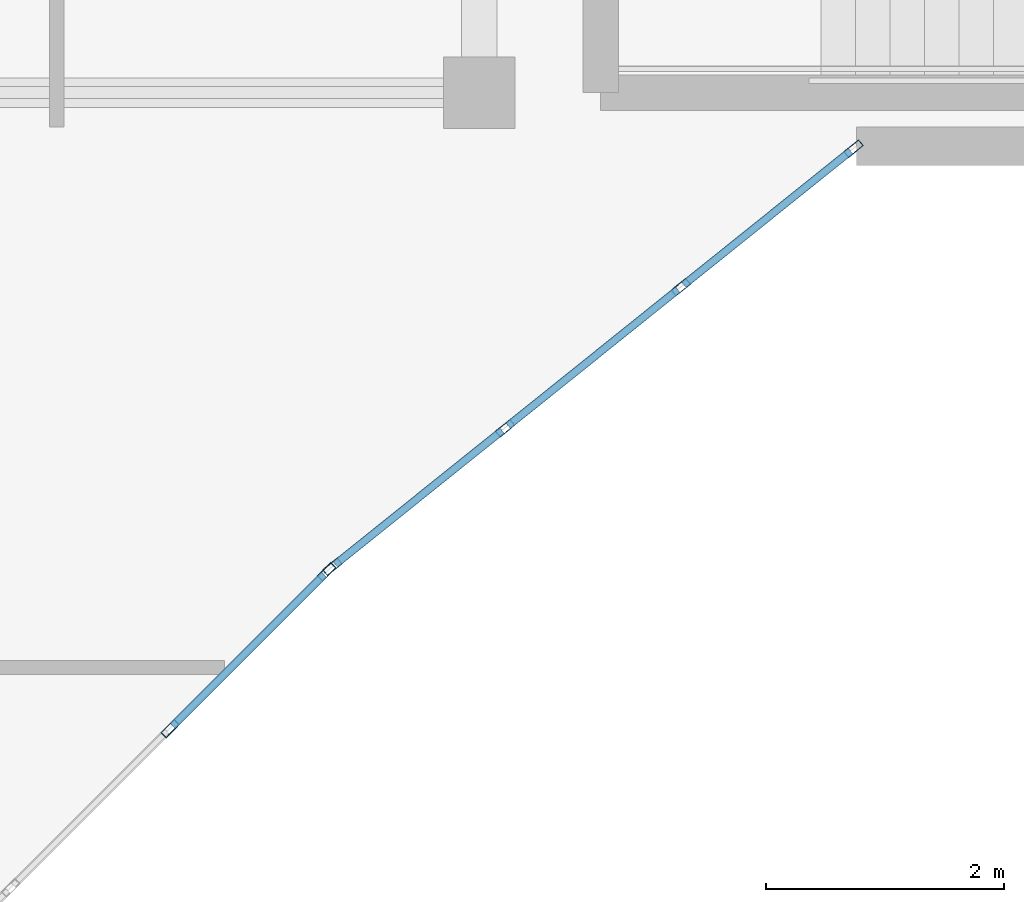
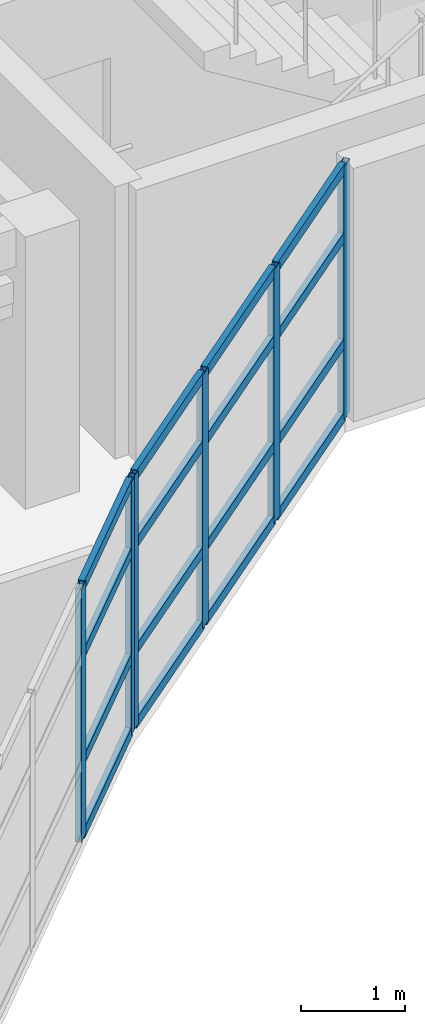
# One storey, part 9 of 76: 22 members, 2 elements without a shape of their own.
"""IFC4 building model written with IfcOpenShell, lengths in metres."""

from ifc_helpers import new_model, si_unit, direction, frame, origin, origin_2d, place, context, subcontext, project, spatial, hollow_rectangle, extrude, material, layer, layer_set, material_profile, profile_set, type_object, element, aggregate, save


model = new_model("IFC4")

# Units and contexts
model_context = context("Model", 3, precision=1e-05, world=origin(), true_north=direction((0.0, 1.0)))
body_context = subcontext(model_context, "Body", "Model", "MODEL_VIEW")
ifc_project = project(units=[si_unit("LENGTHUNIT", "METRE"), si_unit("AREAUNIT", "SQUARE_METRE"), si_unit("VOLUMEUNIT", "CUBIC_METRE"), si_unit("PLANEANGLEUNIT", "RADIAN"), si_unit("MASSUNIT", "GRAM", prefix="KILO")], contexts=[model_context])

# Site, building, storey
site_placement = place(None, origin())
site = spatial("IfcSite", under=ifc_project, at=site_placement, CompositionType="ELEMENT")
building_placement = place(site_placement, origin())
building = spatial("IfcBuilding", under=site, at=building_placement, Name="Keldmere Railside Commons", CompositionType="ELEMENT")
storey_placement = place(building_placement, frame((0.0, 0.0, 13.760009765625)))
storey = spatial("IfcBuildingStorey", under=building, at=storey_placement, Name="L04", CompositionType="ELEMENT", Elevation=13.760009765625)

# Curtain wall, members
ifc_material = material(Name="Thermally Broken Aluminium", Category="aluminium")
ifc_layer_1 = layer(ifc_material, 0.159912109375, Name="Court Chord Wintergarden CW 5400x2850")
ifc_layer_set_1 = layer_set([ifc_layer_1], Name="Thermally Broken Aluminium")
curtain_wall_type_1 = type_object("IfcCurtainWallType", Name="Court Chord Wintergarden CW 5400x2850", PredefinedType="NOTDEFINED", material=ifc_layer_set_1)
curtain_wall_1_placement = place(storey_placement, origin())
curtain_wall_1 = element("IfcCurtainWall", 1, at=curtain_wall_1_placement, inside=storey, type_object=curtain_wall_type_1, Name="CW-13 CW-L04-050", PredefinedType="NOTDEFINED")
ifc_material_profile_1 = material_profile(ifc_material, hollow_rectangle(XDim=0.06494140625, YDim=0.159912109375, WallThickness=0.00390625, at=origin_2d()), Name="ALU-MULL-65x160")
ifc_profile_set_1 = profile_set([ifc_material_profile_1], Name="Thermally Broken Aluminium")
member_type_1 = type_object("IfcMemberType", Name="Unitised Curtain Wall Mullion 65x160", PredefinedType="MULLION", material=ifc_profile_set_1)
member_1_placement = place(storey_placement, frame((71.547119140625, 96.423095703125, 0.0), z_axis=(0.0, 0.0, 1.0), x_axis=(0.707106781187, -0.707106781187, 0.0)))
member_1 = element("IfcMember", 2, at=member_1_placement, type_object=member_type_1, Name="CW-13 mullion 1", PredefinedType="MULLION", context=body_context, shape_type="SweptSolid", body=[
    extrude(hollow_rectangle(XDim=0.06494140625, YDim=0.159912109375, WallThickness=0.00390625, at=origin_2d()), origin(), (0.0, 0.0, 1.0), 2.97998046875),
])
member_2_placement = place(storey_placement, frame((70.2314453125, 95.107421875, 0.0), z_axis=(0.0, 0.0, 1.0), x_axis=(0.707106781187, -0.707106781187, 0.0)))
member_2 = element("IfcMember", 3, at=member_2_placement, type_object=member_type_1, Name="CW-13 mullion 2", PredefinedType="MULLION", context=body_context, shape_type="SweptSolid", body=[
    extrude(hollow_rectangle(XDim=0.06494140625, YDim=0.159912109375, WallThickness=0.00390625, at=origin_2d()), origin(), (0.0, 0.0, 1.0), 2.97998046875),
])

ifc_layer_2 = layer(ifc_material, 0.159912109375, Name="Court Chord Wintergarden CW 4800x2850")
ifc_layer_set_2 = layer_set([ifc_layer_2], Name="Thermally Broken Aluminium")
curtain_wall_type_2 = type_object("IfcCurtainWallType", Name="Court Chord Wintergarden CW 4800x2850", PredefinedType="NOTDEFINED", material=ifc_layer_set_2)
curtain_wall_2_placement = place(storey_placement, origin())
curtain_wall_2 = element("IfcCurtainWall", 4, at=curtain_wall_2_placement, inside=storey, type_object=curtain_wall_type_2, Name="CW-12 CW-L04-051", PredefinedType="NOTDEFINED")
member_3_placement = place(storey_placement, frame((75.974609375, 99.979736328125, 0.0), z_axis=(0.0, 0.0, 1.0), x_axis=(0.625768080915, -0.780009172323, 0.0)))
member_3 = element("IfcMember", 5, at=member_3_placement, type_object=member_type_1, Name="CW-12 mullion 1", PredefinedType="MULLION", context=body_context, shape_type="SweptSolid", body=[
    extrude(hollow_rectangle(XDim=0.06494140625, YDim=0.159912109375, WallThickness=0.00390625, at=origin_2d()), origin(), (0.0, 0.0, 1.0), 2.97998046875),
])
member_4_placement = place(storey_placement, frame((74.5234375, 98.8154296875, 0.0), z_axis=(0.0, 0.0, 1.0), x_axis=(0.625768080915, -0.780009172323, 0.0)))
member_4 = element("IfcMember", 6, at=member_4_placement, type_object=member_type_1, Name="CW-12 mullion 2", PredefinedType="MULLION", context=body_context, shape_type="SweptSolid", body=[
    extrude(hollow_rectangle(XDim=0.06494140625, YDim=0.159912109375, WallThickness=0.00390625, at=origin_2d()), origin(), (0.0, 0.0, 1.0), 2.97998046875),
])
member_5_placement = place(storey_placement, frame((73.046630859375, 97.630615234375, 0.0), z_axis=(0.0, 0.0, 1.0), x_axis=(0.625768080915, -0.780009172323, 0.0)))
member_5 = element("IfcMember", 7, at=member_5_placement, type_object=member_type_1, Name="CW-12 mullion 3", PredefinedType="MULLION", context=body_context, shape_type="SweptSolid", body=[
    extrude(hollow_rectangle(XDim=0.06494140625, YDim=0.159912109375, WallThickness=0.00390625, at=origin_2d()), origin(), (0.0, 0.0, 1.0), 2.97998046875),
])
member_6_placement = place(storey_placement, frame((71.595458984375, 96.46630859375, 0.0), z_axis=(0.0, 0.0, 1.0), x_axis=(0.625768080915, -0.780009172323, 0.0)))
member_6 = element("IfcMember", 8, at=member_6_placement, type_object=member_type_1, Name="CW-12 mullion 4", PredefinedType="MULLION", context=body_context, shape_type="SweptSolid", body=[
    extrude(hollow_rectangle(XDim=0.06494140625, YDim=0.159912109375, WallThickness=0.00390625, at=origin_2d()), origin(), (0.0, 0.0, 1.0), 2.97998046875),
])

# Member
ifc_material_profile_2 = material_profile(ifc_material, hollow_rectangle(XDim=0.06494140625, YDim=0.1201171875, WallThickness=0.00390625, at=origin_2d()), Name="ALU-TRAN-65x120")
ifc_profile_set_2 = profile_set([ifc_material_profile_2], Name="Thermally Broken Aluminium")
member_type_2 = type_object("IfcMemberType", Name="Unitised Curtain Wall Transom 65x120", PredefinedType="USERDEFINED", material=ifc_profile_set_2)
member_7_placement = place(storey_placement, frame((71.52392578125, 96.400146484375, 0.032470703125), z_axis=(-0.707038793419, -0.707174762418, 0.0), x_axis=(0.707174762418, -0.707038793419, 0.0)))
member_7 = element("IfcMember", 9, at=member_7_placement, type_object=member_type_2, Name="CW-13 transom 1.1", ObjectType="TRANSOM", PredefinedType="USERDEFINED", context=body_context, shape_type="SweptSolid", body=[
    extrude(hollow_rectangle(XDim=0.06494140625, YDim=0.1201171875, WallThickness=0.00390625, at=origin_2d()), origin(), (0.0, 0.0, 1.0), 1.795654296875),
])

member_8_placement = place(storey_placement, frame((71.52392578125, 96.400146484375, 0.89990234375), z_axis=(-0.707038793419, -0.707174762418, 0.0), x_axis=(0.707174762418, -0.707038793419, 0.0)))
member_8 = element("IfcMember", 10, at=member_8_placement, type_object=member_type_2, Name="CW-13 transom 1.2", ObjectType="TRANSOM", PredefinedType="USERDEFINED", context=body_context, shape_type="SweptSolid", body=[
    extrude(hollow_rectangle(XDim=0.06494140625, YDim=0.1201171875, WallThickness=0.00390625, at=origin_2d()), origin(), (0.0, 0.0, 1.0), 1.795654296875),
])

member_9_placement = place(storey_placement, frame((71.52392578125, 96.400146484375, 2.14990234375), z_axis=(-0.707038793419, -0.707174762418, 0.0), x_axis=(0.707174762418, -0.707038793419, 0.0)))
member_9 = element("IfcMember", 11, at=member_9_placement, type_object=member_type_2, Name="CW-13 transom 1.3", ObjectType="TRANSOM", PredefinedType="USERDEFINED", context=body_context, shape_type="SweptSolid", body=[
    extrude(hollow_rectangle(XDim=0.06494140625, YDim=0.1201171875, WallThickness=0.00390625, at=origin_2d()), origin(), (0.0, 0.0, 1.0), 1.795654296875),
])

member_10_placement = place(storey_placement, frame((71.52392578125, 96.400146484375, 2.947509765625), z_axis=(-0.707038793419, -0.707174762418, 0.0), x_axis=(0.707174762418, -0.707038793419, 0.0)))
member_10 = element("IfcMember", 12, at=member_10_placement, type_object=member_type_2, Name="CW-13 transom 1.4", ObjectType="TRANSOM", PredefinedType="USERDEFINED", context=body_context, shape_type="SweptSolid", body=[
    extrude(hollow_rectangle(XDim=0.06494140625, YDim=0.1201171875, WallThickness=0.00390625, at=origin_2d()), origin(), (0.0, 0.0, 1.0), 1.795654296875),
])

aggregate(curtain_wall_1, [member_1, member_2, member_7, member_8, member_9, member_10])

member_11_placement = place(storey_placement, frame((75.94921875, 99.959228515625, 0.032470703125), z_axis=(-0.780045694992, -0.625722553313, 0.0), x_axis=(0.625722553313, -0.780045694992, 0.0)))
member_11 = element("IfcMember", 13, at=member_11_placement, type_object=member_type_2, Name="CW-12 transom 1.1", ObjectType="TRANSOM", PredefinedType="USERDEFINED", context=body_context, shape_type="SweptSolid", body=[
    extrude(hollow_rectangle(XDim=0.06494140625, YDim=0.1201171875, WallThickness=0.00390625, at=origin_2d()), origin(), (0.0, 0.0, 1.0), 1.795654296875),
])

member_12_placement = place(storey_placement, frame((75.94921875, 99.959228515625, 0.89990234375), z_axis=(-0.780045694992, -0.625722553313, 0.0), x_axis=(0.625722553313, -0.780045694992, 0.0)))
member_12 = element("IfcMember", 14, at=member_12_placement, type_object=member_type_2, Name="CW-12 transom 1.2", ObjectType="TRANSOM", PredefinedType="USERDEFINED", context=body_context, shape_type="SweptSolid", body=[
    extrude(hollow_rectangle(XDim=0.06494140625, YDim=0.1201171875, WallThickness=0.00390625, at=origin_2d()), origin(), (0.0, 0.0, 1.0), 1.795654296875),
])

member_13_placement = place(storey_placement, frame((75.94921875, 99.959228515625, 2.14990234375), z_axis=(-0.780045694992, -0.625722553313, 0.0), x_axis=(0.625722553313, -0.780045694992, 0.0)))
member_13 = element("IfcMember", 15, at=member_13_placement, type_object=member_type_2, Name="CW-12 transom 1.3", ObjectType="TRANSOM", PredefinedType="USERDEFINED", context=body_context, shape_type="SweptSolid", body=[
    extrude(hollow_rectangle(XDim=0.06494140625, YDim=0.1201171875, WallThickness=0.00390625, at=origin_2d()), origin(), (0.0, 0.0, 1.0), 1.795654296875),
])

member_14_placement = place(storey_placement, frame((75.94921875, 99.959228515625, 2.947509765625), z_axis=(-0.780045694992, -0.625722553313, 0.0), x_axis=(0.625722553313, -0.780045694992, 0.0)))
member_14 = element("IfcMember", 16, at=member_14_placement, type_object=member_type_2, Name="CW-12 transom 1.4", ObjectType="TRANSOM", PredefinedType="USERDEFINED", context=body_context, shape_type="SweptSolid", body=[
    extrude(hollow_rectangle(XDim=0.06494140625, YDim=0.1201171875, WallThickness=0.00390625, at=origin_2d()), origin(), (0.0, 0.0, 1.0), 1.795654296875),
])

member_15_placement = place(storey_placement, frame((74.498046875, 98.794921875, 0.032470703125), z_axis=(-0.78007338409, -0.625688033635, 0.0), x_axis=(0.625688033635, -0.78007338409, 0.0)))
member_15 = element("IfcMember", 17, at=member_15_placement, type_object=member_type_2, Name="CW-12 transom 2.1", ObjectType="TRANSOM", PredefinedType="USERDEFINED", context=body_context, shape_type="SweptSolid", body=[
    extrude(hollow_rectangle(XDim=0.06494140625, YDim=0.1201171875, WallThickness=0.00390625, at=origin_2d()), origin(), (0.0, 0.0, 1.0), 1.828125),
])

member_16_placement = place(storey_placement, frame((74.498046875, 98.794921875, 0.89990234375), z_axis=(-0.78007338409, -0.625688033635, 0.0), x_axis=(0.625688033635, -0.78007338409, 0.0)))
member_16 = element("IfcMember", 18, at=member_16_placement, type_object=member_type_2, Name="CW-12 transom 2.2", ObjectType="TRANSOM", PredefinedType="USERDEFINED", context=body_context, shape_type="SweptSolid", body=[
    extrude(hollow_rectangle(XDim=0.06494140625, YDim=0.1201171875, WallThickness=0.00390625, at=origin_2d()), origin(), (0.0, 0.0, 1.0), 1.828125),
])

member_17_placement = place(storey_placement, frame((74.498046875, 98.794921875, 2.14990234375), z_axis=(-0.78007338409, -0.625688033635, 0.0), x_axis=(0.625688033635, -0.78007338409, 0.0)))
member_17 = element("IfcMember", 19, at=member_17_placement, type_object=member_type_2, Name="CW-12 transom 2.3", ObjectType="TRANSOM", PredefinedType="USERDEFINED", context=body_context, shape_type="SweptSolid", body=[
    extrude(hollow_rectangle(XDim=0.06494140625, YDim=0.1201171875, WallThickness=0.00390625, at=origin_2d()), origin(), (0.0, 0.0, 1.0), 1.828125),
])

member_18_placement = place(storey_placement, frame((74.498046875, 98.794921875, 2.947509765625), z_axis=(-0.78007338409, -0.625688033635, 0.0), x_axis=(0.625688033635, -0.78007338409, 0.0)))
member_18 = element("IfcMember", 20, at=member_18_placement, type_object=member_type_2, Name="CW-12 transom 2.4", ObjectType="TRANSOM", PredefinedType="USERDEFINED", context=body_context, shape_type="SweptSolid", body=[
    extrude(hollow_rectangle(XDim=0.06494140625, YDim=0.1201171875, WallThickness=0.00390625, at=origin_2d()), origin(), (0.0, 0.0, 1.0), 1.828125),
])

member_19_placement = place(storey_placement, frame((73.021240234375, 97.6103515625, 0.032470703125), z_axis=(-0.779979331565, -0.625805275091, 0.0), x_axis=(0.625805275091, -0.779979331565, 0.0)))
member_19 = element("IfcMember", 21, at=member_19_placement, type_object=member_type_2, Name="CW-12 transom 3.1", ObjectType="TRANSOM", PredefinedType="USERDEFINED", context=body_context, shape_type="SweptSolid", body=[
    extrude(hollow_rectangle(XDim=0.06494140625, YDim=0.1201171875, WallThickness=0.00390625, at=origin_2d()), origin(), (0.0, 0.0, 1.0), 1.795654296875),
])

member_20_placement = place(storey_placement, frame((73.021240234375, 97.6103515625, 0.89990234375), z_axis=(-0.779979331565, -0.625805275091, 0.0), x_axis=(0.625805275091, -0.779979331565, 0.0)))
member_20 = element("IfcMember", 22, at=member_20_placement, type_object=member_type_2, Name="CW-12 transom 3.2", ObjectType="TRANSOM", PredefinedType="USERDEFINED", context=body_context, shape_type="SweptSolid", body=[
    extrude(hollow_rectangle(XDim=0.06494140625, YDim=0.1201171875, WallThickness=0.00390625, at=origin_2d()), origin(), (0.0, 0.0, 1.0), 1.795654296875),
])

member_21_placement = place(storey_placement, frame((73.021240234375, 97.6103515625, 2.14990234375), z_axis=(-0.779979331565, -0.625805275091, 0.0), x_axis=(0.625805275091, -0.779979331565, 0.0)))
member_21 = element("IfcMember", 23, at=member_21_placement, type_object=member_type_2, Name="CW-12 transom 3.3", ObjectType="TRANSOM", PredefinedType="USERDEFINED", context=body_context, shape_type="SweptSolid", body=[
    extrude(hollow_rectangle(XDim=0.06494140625, YDim=0.1201171875, WallThickness=0.00390625, at=origin_2d()), origin(), (0.0, 0.0, 1.0), 1.795654296875),
])

member_22_placement = place(storey_placement, frame((73.021240234375, 97.6103515625, 2.947509765625), z_axis=(-0.779979331565, -0.625805275091, 0.0), x_axis=(0.625805275091, -0.779979331565, 0.0)))
member_22 = element("IfcMember", 24, at=member_22_placement, type_object=member_type_2, Name="CW-12 transom 3.4", ObjectType="TRANSOM", PredefinedType="USERDEFINED", context=body_context, shape_type="SweptSolid", body=[
    extrude(hollow_rectangle(XDim=0.06494140625, YDim=0.1201171875, WallThickness=0.00390625, at=origin_2d()), origin(), (0.0, 0.0, 1.0), 1.795654296875),
])

aggregate(curtain_wall_2, [member_3, member_4, member_5, member_6, member_11, member_12, member_13, member_14, member_15, member_16, member_17, member_18, member_19, member_20, member_21, member_22])

save(model, "model.ifc")
